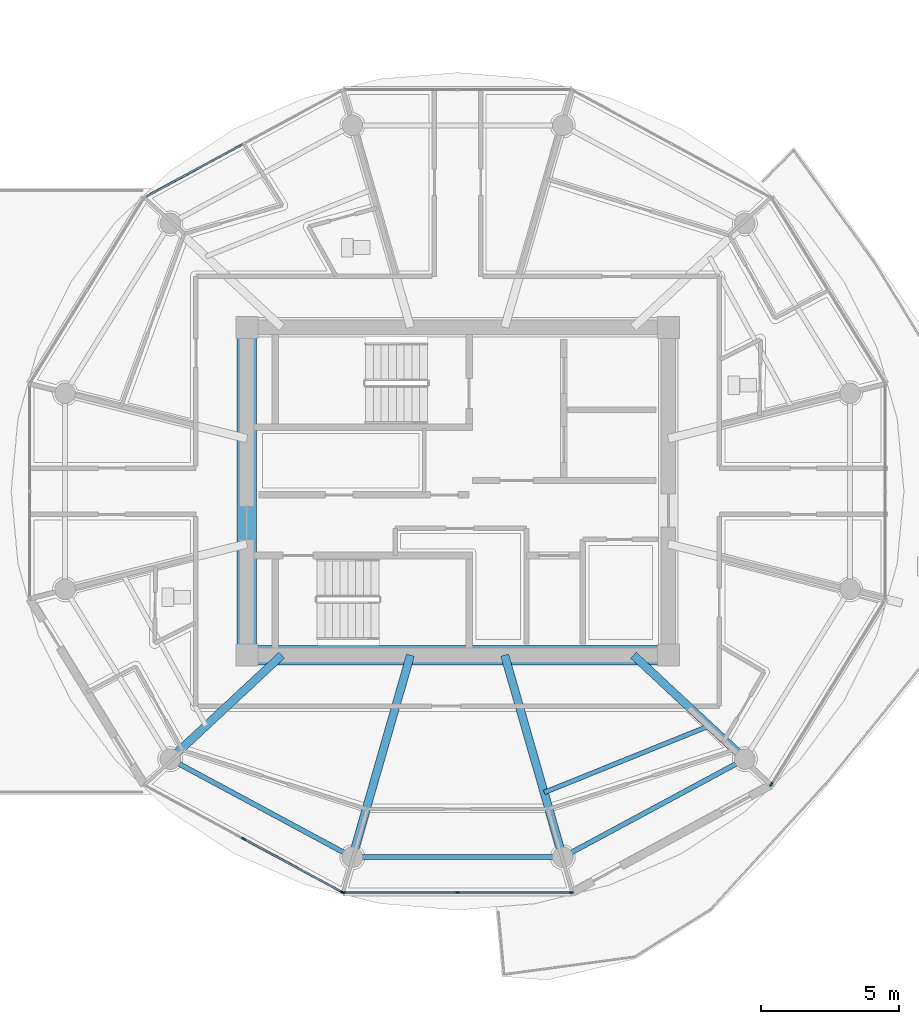
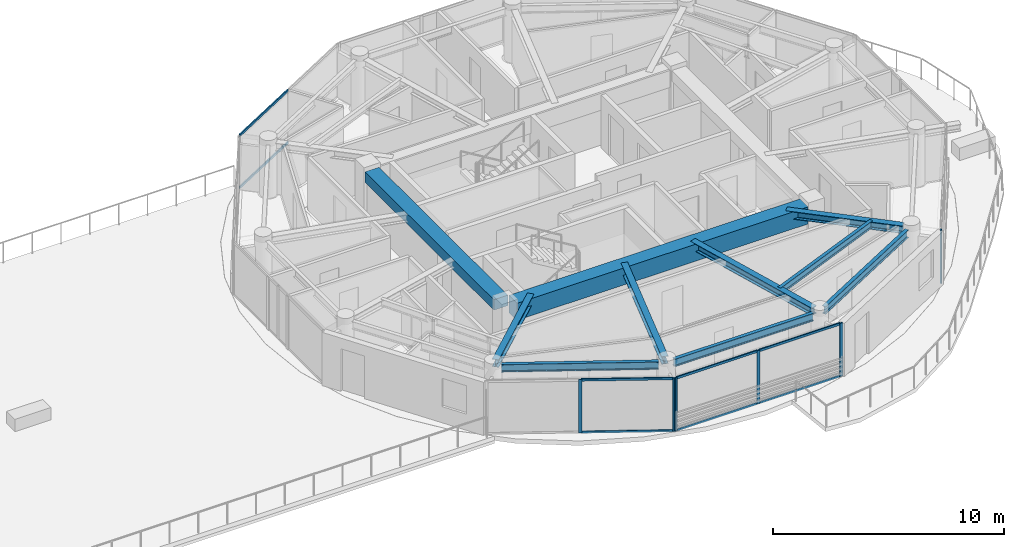
# One storey, part 8 of 30: 14 members, 10 beams, 4 elements without a shape of their own.
"""IFC4 building model written with IfcOpenShell, lengths in metres."""

from ifc_helpers import new_model, si_unit, direction, frame, origin, origin_2d, place, context, subcontext, project, spatial, rectangle, i_section, extrude, source, transform, mapped, material, layer, layer_set, material_profile, profile_set, type_object, type_shapes, element, aggregate, save


model = new_model("IFC4")

# Units and contexts
model_context = context("Model", 3, precision=1e-05, world=origin(), true_north=direction((0.0, 1.0)))
body_context = subcontext(model_context, "Body", "Model", "MODEL_VIEW")
ifc_project = project(units=[si_unit("LENGTHUNIT", "METRE"), si_unit("AREAUNIT", "SQUARE_METRE"), si_unit("VOLUMEUNIT", "CUBIC_METRE"), si_unit("PLANEANGLEUNIT", "RADIAN"), si_unit("MASSUNIT", "GRAM", prefix="KILO")], contexts=[model_context])

# Site, building, storey
site_placement = place(None, origin())
site = spatial("IfcSite", under=ifc_project, at=site_placement, CompositionType="ELEMENT")
building_placement = place(site_placement, origin())
building = spatial("IfcBuilding", under=site, at=building_placement, Name="Norrkilde Senior Care Towers", CompositionType="ELEMENT")
storey_placement = place(building_placement, frame((0.0, 0.0, 232.199951171875)))
storey = spatial("IfcBuildingStorey", under=building, at=storey_placement, Name="L72", CompositionType="ELEMENT", Elevation=232.199951171875)

# Beams
ifc_material_1 = material(Name="Concrete C60/75", Category="concrete")
ifc_material_profile_1 = material_profile(ifc_material_1, rectangle(XDim=0.699951171875, YDim=0.89990234375, at=origin_2d()), Name="RC BM 700x900")
ifc_profile_set_1 = profile_set([ifc_material_profile_1], Name="Concrete C60/75")
beam_type_1 = type_object("IfcBeamType", Name="Core Coupling Girder 700x900", PredefinedType="USERDEFINED", material=ifc_profile_set_1)
shared_shape_1 = source(origin(), body_context, "Body", "SweptSolid", [
    extrude(rectangle(XDim=0.699951171875, YDim=0.89990234375, at=origin_2d()), origin(), (0.0, 0.0, 1.0), 14.5400390625),
])
type_shapes(beam_type_1, [shared_shape_1])
beam_1_placement = place(storey_placement, frame((20.72998046875, -5.949951171875, 2.360107421875), z_axis=(1.0, 0.0, 0.0), x_axis=(0.0, 1.0, 0.0)))
element("IfcBeam", 1, at=beam_1_placement, inside=storey, type_object=beam_type_1, Name="L72 Core E S Coupling Girder", ObjectType="GIRDER", PredefinedType="USERDEFINED", context=body_context, shape_type="MappedRepresentation", body=[
    mapped(shared_shape_1, transform((0.0, 0.0, 0.0), x_axis=(1.0, 0.0, 0.0), y_axis=(0.0, 1.0, 0.0), z_axis=(0.0, 0.0, 1.0), scale=1.0)),
])
ifc_material_profile_2 = material_profile(ifc_material_1, rectangle(XDim=0.699951171875, YDim=0.550048828125, at=origin_2d()), Name="RC BM 700x550")
ifc_profile_set_2 = profile_set([ifc_material_profile_2], Name="Concrete C60/75")
beam_type_2 = type_object("IfcBeamType", Name="Core Portal Coupling Beam 700x550", PredefinedType="USERDEFINED", material=ifc_profile_set_2)
shared_shape_2 = source(origin(), body_context, "Body", "SweptSolid", [
    extrude(rectangle(XDim=0.699951171875, YDim=0.550048828125, at=origin_2d()), origin(), (0.0, 0.0, 1.0), 11.14013671875),
])
type_shapes(beam_type_2, [shared_shape_2])
beam_2_placement = place(storey_placement, frame((20.35009765625, -5.570068359375, 2.53515625), z_axis=(0.0, 1.0, 0.0), x_axis=(-1.0, 0.0, 0.0)))
element("IfcBeam", 2, at=beam_2_placement, inside=storey, type_object=beam_type_2, Name="L72 Core E W Coupling Girder", ObjectType="GIRDER", PredefinedType="USERDEFINED", context=body_context, shape_type="MappedRepresentation", body=[
    mapped(shared_shape_2, transform((0.0, 0.0, 0.0), x_axis=(1.0, 0.0, 0.0), y_axis=(0.0, 1.0, 0.0), z_axis=(0.0, 0.0, 1.0), scale=1.0)),
])
ifc_material_2 = material(Name="Steel S355", Category="steel")
ifc_material_profile_3 = material_profile(ifc_material_2, i_section(OverallWidth=0.179931640625, OverallDepth=0.39990234375, WebThickness=0.008544921875, FlangeThickness=0.013427734375, FilletRadius=0.02099609375, at=origin_2d()), Name="IPE 400")
ifc_profile_set_3 = profile_set([ifc_material_profile_3], Name="Steel S355")
beam_type_3 = type_object("IfcBeamType", Name="Perimeter Ring Spandrel Z4 IPE400", PredefinedType="SPANDREL", material=ifc_profile_set_3)
shared_shape_3 = source(origin(), body_context, "Body", "SweptSolid", [
    extrude(i_section(OverallWidth=0.179931640625, OverallDepth=0.39990234375, WebThickness=0.008544921875, FlangeThickness=0.013427734375, FilletRadius=0.02099609375, at=origin_2d()), origin(), (0.0, 0.0, 1.0), 6.839111328125),
])
for number, where, z_axis, x_axis, name in (
    (3, (17.865234375, -9.881591796875, 2.610107421875), (0.880563930732, -0.473927382511, 0.0), (0.473927382511, 0.880563930732, 0.0), "L72 Drum E Perimeter Spandrel 08"),
    (4, (32.112548828125, -13.122802734375, 2.610107421875), (0.880563930732, 0.473927382511, 0.0), (-0.473927382511, 0.880563930732, 0.0), "L72 Drum E Perimeter Spandrel 10"),
):
    element("IfcBeam", number, at=place(storey_placement, frame(where, z_axis=z_axis, x_axis=x_axis)), inside=storey, type_object=beam_type_3, Name=name, PredefinedType="SPANDREL", context=body_context, shape_type="MappedRepresentation", body=[
        mapped(shared_shape_3, transform((0.0, 0.0, 0.0), x_axis=(1.0, 0.0, 0.0), y_axis=(0.0, 1.0, 0.0), z_axis=(0.0, 0.0, 1.0), scale=1.0)),
    ])
ifc_material_profile_4 = material_profile(ifc_material_2, i_section(OverallWidth=0.300048828125, OverallDepth=0.39990234375, WebThickness=0.013427734375, FlangeThickness=0.02392578125, FilletRadius=0.027099609375, at=origin_2d()), Name="HEB 400")
ifc_profile_set_4 = profile_set([ifc_material_profile_4], Name="Steel S355")
beam_type_4 = type_object("IfcBeamType", Name="Radial Floor Beam Z4 HEB400", PredefinedType="BEAM", material=ifc_profile_set_4)
shared_shape_4 = source(origin(), body_context, "Body", "SweptSolid", [
    extrude(i_section(OverallWidth=0.300048828125, OverallDepth=0.39990234375, WebThickness=0.013427734375, FlangeThickness=0.02392578125, FilletRadius=0.027099609375, at=origin_2d()), origin(), (0.0, 0.0, 1.0), 5.197998046875),
])
for number, where, z_axis, x_axis, name in (
    (5, (21.6171875, -5.949951171875, 2.610107421875), (-0.731448749334, -0.681896419625, 0.0), (0.681896419625, -0.731448749334, 0.0), "L72 Drum E Radial Floor Beam 08"),
    (6, (34.3828125, -5.949951171875, 2.610107421875), (0.731448749334, -0.681896419625, 0.0), (0.681896419625, 0.731448749334, 0.0), "L72 Drum E Radial Floor Beam 11"),
):
    element("IfcBeam", number, at=place(storey_placement, frame(where, z_axis=z_axis, x_axis=x_axis)), inside=storey, type_object=beam_type_4, Name=name, PredefinedType="BEAM", context=body_context, shape_type="MappedRepresentation", body=[
        mapped(shared_shape_4, transform((0.0, 0.0, 0.0), x_axis=(1.0, 0.0, 0.0), y_axis=(0.0, 1.0, 0.0), z_axis=(0.0, 0.0, 1.0), scale=1.0)),
    ])
shared_shape_5 = source(origin(), body_context, "Body", "SweptSolid", [
    extrude(i_section(OverallWidth=0.179931640625, OverallDepth=0.39990234375, WebThickness=0.008544921875, FlangeThickness=0.013427734375, FilletRadius=0.02099609375, at=origin_2d()), origin(), (0.0, 0.0, 1.0), 6.96533203125),
])
type_shapes(beam_type_3, [shared_shape_3, shared_shape_5])
beam_3_placement = place(storey_placement, frame((24.517333984375, -13.281494140625, 2.610107421875), z_axis=(1.0, 0.0, 0.0), x_axis=(0.0, 1.0, 0.0)))
element("IfcBeam", 7, at=beam_3_placement, inside=storey, type_object=beam_type_3, Name="L72 Drum E Perimeter Spandrel 09", PredefinedType="SPANDREL", context=body_context, shape_type="MappedRepresentation", body=[
    mapped(shared_shape_5, transform((0.0, 0.0, 0.0), x_axis=(1.0, 0.0, 0.0), y_axis=(0.0, 1.0, 0.0), z_axis=(0.0, 0.0, 1.0), scale=1.0)),
])
shared_shape_6 = source(origin(), body_context, "Body", "SweptSolid", [
    extrude(i_section(OverallWidth=0.300048828125, OverallDepth=0.39990234375, WebThickness=0.013427734375, FlangeThickness=0.02392578125, FilletRadius=0.027099609375, at=origin_2d()), origin(), (0.0, 0.0, 1.0), 7.29345703125),
])
type_shapes(beam_type_4, [shared_shape_4, shared_shape_6])
for number, where, z_axis, x_axis, name in (
    (8, (26.289794921875, -5.949951171875, 2.610107421875), (-0.276263751906, -0.961081858836, 0.0), (0.961081858836, -0.276263751906, 0.0), "L72 Drum E Radial Floor Beam 09"),
    (9, (29.710205078125, -5.949951171875, 2.610107421875), (0.276263751906, -0.961081858836, 0.0), (0.961081858836, 0.276263751906, 0.0), "L72 Drum E Radial Floor Beam 10"),
):
    element("IfcBeam", number, at=place(storey_placement, frame(where, z_axis=z_axis, x_axis=x_axis)), inside=storey, type_object=beam_type_4, Name=name, PredefinedType="BEAM", context=body_context, shape_type="MappedRepresentation", body=[
        mapped(shared_shape_6, transform((0.0, 0.0, 0.0), x_axis=(1.0, 0.0, 0.0), y_axis=(0.0, 1.0, 0.0), z_axis=(0.0, 0.0, 1.0), scale=1.0)),
    ])
ifc_material_profile_5 = material_profile(ifc_material_2, i_section(OverallWidth=0.169921875, OverallDepth=0.360107421875, WebThickness=0.008056640625, FlangeThickness=0.0126953125, FilletRadius=0.01806640625, at=origin_2d()), Name="IPE 360")
ifc_profile_set_5 = profile_set([ifc_material_profile_5], Name="Steel S355")
beam_type_5 = type_object("IfcBeamType", Name="Secondary Floor Joist IPE360", PredefinedType="JOIST", material=ifc_profile_set_5)
shared_shape_7 = source(origin(), body_context, "Body", "SweptSolid", [
    extrude(i_section(OverallWidth=0.169921875, OverallDepth=0.360107421875, WebThickness=0.008056640625, FlangeThickness=0.0126953125, FilletRadius=0.01806640625, at=origin_2d()), origin(), (0.0, 0.0, 1.0), 6.461669921875),
])
type_shapes(beam_type_5, [shared_shape_7])
beam_4_placement = place(storey_placement, frame((31.143310546875, -10.935302734375, 2.630126953125), z_axis=(0.927225942298, 0.374502405772, 0.0), x_axis=(-0.374502405772, 0.927225942298, 0.0)))
element("IfcBeam", 10, at=beam_4_placement, inside=storey, type_object=beam_type_5, Name="L72 Drum E Secondary Floor Joist 4", PredefinedType="JOIST", context=body_context, shape_type="MappedRepresentation", body=[
    mapped(shared_shape_7, transform((0.0, 0.0, 0.0), x_axis=(1.0, 0.0, 0.0), y_axis=(0.0, 1.0, 0.0), z_axis=(0.0, 0.0, 1.0), scale=1.0)),
])

# Curtain wall, members
ifc_material_3 = material(Name="Triple Low-E Insulated Glazing", Category="glass")
ifc_layer = layer(ifc_material_3, 0.18505859375)
ifc_layer_set = layer_set([ifc_layer], Name="Triple Low-E Insulated Glazing")
curtain_wall_type = type_object("IfcCurtainWallType", Name="CW6 Zone 4 Crown Pavilion Curtain Wall", PredefinedType="NOTDEFINED", material=ifc_layer_set)
curtain_wall_1_placement = place(storey_placement, origin())
curtain_wall_1 = element("IfcCurtainWall", 11, at=curtain_wall_1_placement, inside=storey, type_object=curtain_wall_type, Name="L72 Drum E Curtain Wall 07", PredefinedType="NOTDEFINED")
ifc_material_4 = material(Name="Anodised Aluminium", Category="aluminium")
ifc_material_profile_6 = material_profile(ifc_material_4, rectangle(XDim=0.06494140625, YDim=0.14990234375, at=origin_2d()), Name="ALU MULL 65x150")
ifc_profile_set_6 = profile_set([ifc_material_profile_6], Name="Anodised Aluminium")
member_type_1 = type_object("IfcMemberType", Name="Curtain Wall Mullion Z3-Z4 65x150", PredefinedType="MULLION", material=ifc_profile_set_6)
shared_shape_8 = source(origin(), body_context, "Body", "SweptSolid", [
    extrude(rectangle(XDim=0.06494140625, YDim=0.14990234375, at=origin_2d()), origin(), (0.0, 0.0, 1.0), 2.81005859375),
])
type_shapes(member_type_1, [shared_shape_8])
member_1_placement = place(storey_placement, frame((23.8095703125, -14.55078125, 0.0), z_axis=(0.0, 0.0, 1.0), x_axis=(-0.476132676136, -0.879373455772, 0.0)))
member_1 = element("IfcMember", 12, at=member_1_placement, type_object=member_type_1, Name="CW-6 mullion 1", PredefinedType="MULLION", context=body_context, shape_type="MappedRepresentation", body=[
    mapped(shared_shape_8, transform((0.0, 0.0, 0.0), x_axis=(1.0, 0.0, 0.0), y_axis=(0.0, 1.0, 0.0), z_axis=(0.0, 0.0, 1.0), scale=1.0)),
])
member_2_placement = place(storey_placement, frame((20.23388671875, -12.61474609375, 0.0), z_axis=(0.0, 0.0, 1.0), x_axis=(-0.476132676136, -0.879373455772, 0.0)))
member_2 = element("IfcMember", 13, at=member_2_placement, type_object=member_type_1, Name="CW-6 mullion 2", PredefinedType="MULLION", context=body_context, shape_type="MappedRepresentation", body=[
    mapped(shared_shape_8, transform((0.0, 0.0, 0.0), x_axis=(1.0, 0.0, 0.0), y_axis=(0.0, 1.0, 0.0), z_axis=(0.0, 0.0, 1.0), scale=1.0)),
])

curtain_wall_2_placement = place(storey_placement, origin())
curtain_wall_2 = element("IfcCurtainWall", 14, at=curtain_wall_2_placement, inside=storey, type_object=curtain_wall_type, Name="L72 Drum E Curtain Wall 08", PredefinedType="NOTDEFINED")
member_3_placement = place(storey_placement, frame((32.12939453125, -14.566162109375, 0.0), z_axis=(0.0, 0.0, 1.0), x_axis=(0.0, -1.0, 0.0)))
member_3 = element("IfcMember", 15, at=member_3_placement, type_object=member_type_1, Name="CW-6 mullion 1", PredefinedType="MULLION", context=body_context, shape_type="MappedRepresentation", body=[
    mapped(shared_shape_8, transform((0.0, 0.0, 0.0), x_axis=(1.0, 0.0, 0.0), y_axis=(0.0, 1.0, 0.0), z_axis=(0.0, 0.0, 1.0), scale=1.0)),
])
member_4_placement = place(storey_placement, frame((28.0, -14.566162109375, 0.0), z_axis=(0.0, 0.0, 1.0), x_axis=(0.0, -1.0, 0.0)))
member_4 = element("IfcMember", 16, at=member_4_placement, type_object=member_type_1, Name="CW-6 mullion 2", PredefinedType="MULLION", context=body_context, shape_type="MappedRepresentation", body=[
    mapped(shared_shape_8, transform((0.0, 0.0, 0.0), x_axis=(1.0, 0.0, 0.0), y_axis=(0.0, 1.0, 0.0), z_axis=(0.0, 0.0, 1.0), scale=1.0)),
])
member_5_placement = place(storey_placement, frame((23.87060546875, -14.566162109375, 0.0), z_axis=(0.0, 0.0, 1.0), x_axis=(0.0, -1.0, 0.0)))
member_5 = element("IfcMember", 17, at=member_5_placement, type_object=member_type_1, Name="CW-6 mullion 3", PredefinedType="MULLION", context=body_context, shape_type="MappedRepresentation", body=[
    mapped(shared_shape_8, transform((0.0, 0.0, 0.0), x_axis=(1.0, 0.0, 0.0), y_axis=(0.0, 1.0, 0.0), z_axis=(0.0, 0.0, 1.0), scale=1.0)),
])

# Curtain wall, member
curtain_wall_3_placement = place(storey_placement, origin())
curtain_wall_3 = element("IfcCurtainWall", 18, at=curtain_wall_3_placement, inside=storey, type_object=curtain_wall_type, Name="L72 Drum E Curtain Wall 10", PredefinedType="NOTDEFINED")
member_6_placement = place(storey_placement, frame((39.38720703125, -10.635498046875, 0.0), z_axis=(0.0, 0.0, 1.0), x_axis=(0.851562727283, -0.524252726748, 0.0)))
member_6 = element("IfcMember", 19, at=member_6_placement, type_object=member_type_1, Name="CW-6 mullion 3", PredefinedType="MULLION", context=body_context, shape_type="MappedRepresentation", body=[
    mapped(shared_shape_8, transform((0.0, 0.0, 0.0), x_axis=(1.0, 0.0, 0.0), y_axis=(0.0, 1.0, 0.0), z_axis=(0.0, 0.0, 1.0), scale=1.0)),
])
aggregate(curtain_wall_3, [member_6])

# Curtain wall, members
curtain_wall_4_placement = place(storey_placement, origin())
curtain_wall_4 = element("IfcCurtainWall", 20, at=curtain_wall_4_placement, inside=storey, type_object=curtain_wall_type, Name="L72 Drum E Curtain Wall 03", PredefinedType="NOTDEFINED")
ifc_material_profile_7 = material_profile(ifc_material_4, rectangle(XDim=0.06005859375, YDim=0.1201171875, at=origin_2d()), Name="ALU TRAN 60x120")
ifc_profile_set_7 = profile_set([ifc_material_profile_7], Name="Anodised Aluminium")
member_type_2 = type_object("IfcMemberType", Name="Curtain Wall Transom Typical 60x120", PredefinedType="USERDEFINED", material=ifc_profile_set_7)
shared_shape_9 = source(origin(), body_context, "Body", "SweptSolid", [
    extrude(rectangle(XDim=0.06005859375, YDim=0.1201171875, at=origin_2d()), origin(), (0.0, 0.0, 1.0), 4.001220703125),
])
member_7_placement = place(storey_placement, frame((16.686767578125, 10.694091796875, 0.030029296875), z_axis=(0.879381388479, 0.476118024861, 0.0), x_axis=(-0.476118024861, 0.879381388479, 0.0)))
member_7 = element("IfcMember", 21, at=member_7_placement, type_object=member_type_2, Name="CW-6 transom 1.1", ObjectType="TRANSOM", PredefinedType="USERDEFINED", context=body_context, shape_type="MappedRepresentation", body=[
    mapped(shared_shape_9, transform((0.0, 0.0, 0.0), x_axis=(1.0, 0.0, 0.0), y_axis=(0.0, 1.0, 0.0), z_axis=(0.0, 0.0, 1.0), scale=1.0)),
])
member_8_placement = place(storey_placement, frame((16.686767578125, 10.694091796875, 2.780029296875), z_axis=(0.879381388479, 0.476118024861, 0.0), x_axis=(-0.476118024861, 0.879381388479, 0.0)))
member_8 = element("IfcMember", 22, at=member_8_placement, type_object=member_type_2, Name="CW-6 transom 1.2", ObjectType="TRANSOM", PredefinedType="USERDEFINED", context=body_context, shape_type="MappedRepresentation", body=[
    mapped(shared_shape_9, transform((0.0, 0.0, 0.0), x_axis=(1.0, 0.0, 0.0), y_axis=(0.0, 1.0, 0.0), z_axis=(0.0, 0.0, 1.0), scale=1.0)),
])
aggregate(curtain_wall_4, [member_7, member_8])

# Member
member_9_placement = place(storey_placement, frame((23.781005859375, -14.53515625, 0.030029296875), z_axis=(-0.879381388479, 0.476118024861, 0.0), x_axis=(-0.476118024861, -0.879381388479, 0.0)))
member_9 = element("IfcMember", 23, at=member_9_placement, type_object=member_type_2, Name="CW-6 transom 1.1", ObjectType="TRANSOM", PredefinedType="USERDEFINED", context=body_context, shape_type="MappedRepresentation", body=[
    mapped(shared_shape_9, transform((0.0, 0.0, 0.0), x_axis=(1.0, 0.0, 0.0), y_axis=(0.0, 1.0, 0.0), z_axis=(0.0, 0.0, 1.0), scale=1.0)),
])

member_10_placement = place(storey_placement, frame((23.781005859375, -14.53515625, 2.780029296875), z_axis=(-0.879381388479, 0.476118024861, 0.0), x_axis=(-0.476118024861, -0.879381388479, 0.0)))
member_10 = element("IfcMember", 24, at=member_10_placement, type_object=member_type_2, Name="CW-6 transom 1.2", ObjectType="TRANSOM", PredefinedType="USERDEFINED", context=body_context, shape_type="MappedRepresentation", body=[
    mapped(shared_shape_9, transform((0.0, 0.0, 0.0), x_axis=(1.0, 0.0, 0.0), y_axis=(0.0, 1.0, 0.0), z_axis=(0.0, 0.0, 1.0), scale=1.0)),
])

aggregate(curtain_wall_1, [member_1, member_2, member_9, member_10])

shared_shape_10 = source(origin(), body_context, "Body", "SweptSolid", [
    extrude(rectangle(XDim=0.06005859375, YDim=0.1201171875, at=origin_2d()), origin(), (0.0, 0.0, 1.0), 4.064453125),
])
type_shapes(member_type_2, [shared_shape_9, shared_shape_10])
member_11_placement = place(storey_placement, frame((32.096923828125, -14.566162109375, 0.030029296875), z_axis=(-1.0, 0.0, 0.0), x_axis=(0.0, -1.0, 0.0)))
member_11 = element("IfcMember", 25, at=member_11_placement, type_object=member_type_2, Name="CW-6 transom 1.1", ObjectType="TRANSOM", PredefinedType="USERDEFINED", context=body_context, shape_type="MappedRepresentation", body=[
    mapped(shared_shape_10, transform((0.0, 0.0, 0.0), x_axis=(1.0, 0.0, 0.0), y_axis=(0.0, 1.0, 0.0), z_axis=(0.0, 0.0, 1.0), scale=1.0)),
])

member_12_placement = place(storey_placement, frame((32.096923828125, -14.566162109375, 2.780029296875), z_axis=(-1.0, 0.0, 0.0), x_axis=(0.0, -1.0, 0.0)))
member_12 = element("IfcMember", 26, at=member_12_placement, type_object=member_type_2, Name="CW-6 transom 1.2", ObjectType="TRANSOM", PredefinedType="USERDEFINED", context=body_context, shape_type="MappedRepresentation", body=[
    mapped(shared_shape_10, transform((0.0, 0.0, 0.0), x_axis=(1.0, 0.0, 0.0), y_axis=(0.0, 1.0, 0.0), z_axis=(0.0, 0.0, 1.0), scale=1.0)),
])

member_13_placement = place(storey_placement, frame((27.967529296875, -14.566162109375, 0.030029296875), z_axis=(-1.0, 0.0, 0.0), x_axis=(0.0, -1.0, 0.0)))
member_13 = element("IfcMember", 27, at=member_13_placement, type_object=member_type_2, Name="CW-6 transom 2.1", ObjectType="TRANSOM", PredefinedType="USERDEFINED", context=body_context, shape_type="MappedRepresentation", body=[
    mapped(shared_shape_10, transform((0.0, 0.0, 0.0), x_axis=(1.0, 0.0, 0.0), y_axis=(0.0, 1.0, 0.0), z_axis=(0.0, 0.0, 1.0), scale=1.0)),
])

member_14_placement = place(storey_placement, frame((27.967529296875, -14.566162109375, 2.780029296875), z_axis=(-1.0, 0.0, 0.0), x_axis=(0.0, -1.0, 0.0)))
member_14 = element("IfcMember", 28, at=member_14_placement, type_object=member_type_2, Name="CW-6 transom 2.2", ObjectType="TRANSOM", PredefinedType="USERDEFINED", context=body_context, shape_type="MappedRepresentation", body=[
    mapped(shared_shape_10, transform((0.0, 0.0, 0.0), x_axis=(1.0, 0.0, 0.0), y_axis=(0.0, 1.0, 0.0), z_axis=(0.0, 0.0, 1.0), scale=1.0)),
])

aggregate(curtain_wall_2, [member_3, member_4, member_5, member_11, member_12, member_13, member_14])

save(model, "model.ifc")
